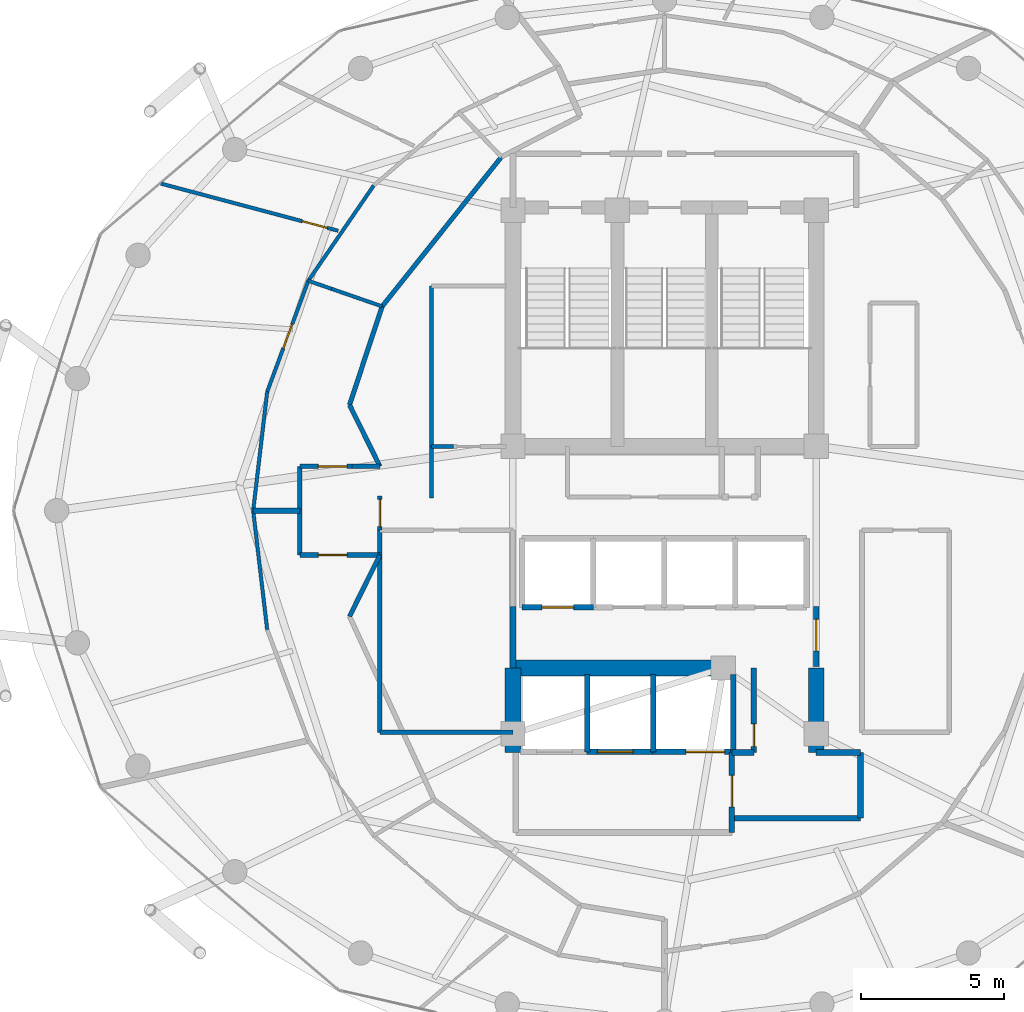
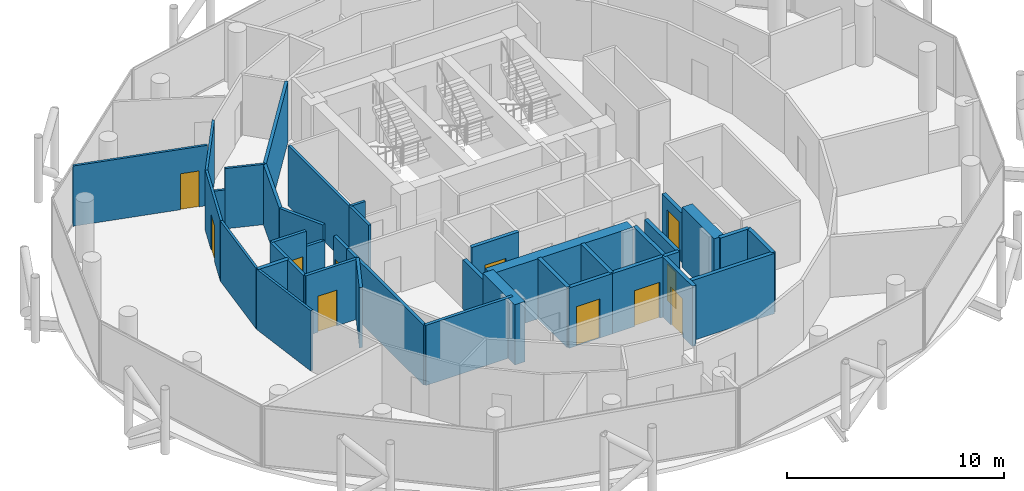
# One storey, part 23 of 27: 39 walls, 11 doors, 11 openings.
"""IFC4 building model written with IfcOpenShell, lengths in metres."""

from ifc_helpers import new_model, si_unit, direction, frame, frame_2d, origin, place, context, subcontext, project, spatial, rectangle, extrude, material, layer, layer_set, type_object, element, fill, save


model = new_model("IFC4")

# Units and contexts
model_context = context("Model", 3, precision=1e-05, world=origin(), true_north=direction((0.0, 1.0)))
body_context = subcontext(model_context, "Body", "Model", "MODEL_VIEW")
ifc_project = project(units=[si_unit("LENGTHUNIT", "METRE"), si_unit("AREAUNIT", "SQUARE_METRE"), si_unit("VOLUMEUNIT", "CUBIC_METRE"), si_unit("PLANEANGLEUNIT", "RADIAN"), si_unit("MASSUNIT", "GRAM", prefix="KILO")], contexts=[model_context])

# Site, building, storey
site_placement = place(None, origin())
site = spatial("IfcSite", under=ifc_project, at=site_placement, CompositionType="ELEMENT")
building_placement = place(site_placement, origin())
building = spatial("IfcBuilding", under=site, at=building_placement, Name="Nuhasar Tower", CompositionType="ELEMENT")
storey_placement = place(building_placement, frame((0.0, 0.0, 251.949951171875)))
storey = spatial("IfcBuildingStorey", under=building, at=storey_placement, Name="L62", CompositionType="ELEMENT", Elevation=251.949951171875)

# Walls
ifc_material_1 = material(Name="Concrete C55/67", Category="concrete")
ifc_layer_1 = layer(ifc_material_1, 0.550048828125)
ifc_layer_set_1 = layer_set([ifc_layer_1], Name="Concrete C55/67")
wall_type_1 = type_object("IfcWallType", Name="WL-CORE-550", PredefinedType="SHEAR", material=ifc_layer_set_1)
for number, where, z_axis, x_axis, name in (
    (1, (33.699951171875, 18.35009765625, 0.0), (0.0, 0.0, 1.0), (0.0, 1.0, 0.0), "L62 Core Shear Wall CW-SW CW-550"),
    (2, (44.300048828125, 18.35009765625, 0.0), (0.0, 0.0, 1.0), (0.0, 1.0, 0.0), "L62 Core Shear Wall CW-SE CW-550"),
):
    element("IfcWall", number, at=place(storey_placement, frame(where, z_axis=z_axis, x_axis=x_axis)), inside=storey, type_object=wall_type_1, Name=name, PredefinedType="SHEAR", context=body_context, shape_type="SweptSolid", body=[
        extrude(rectangle(XDim=2.949951171875, YDim=0.550048828125, at=frame_2d((1.47509765625, 0.0))), origin(), (0.0, 0.0, 1.0), 3.39013671875),
    ])
wall_1_placement = place(storey_placement, frame((33.699951171875, 21.300048828125, 0.0), z_axis=(0.0, 0.0, 1.0), x_axis=(1.0, 0.0, 0.0)))
element("IfcWall", 3, at=wall_1_placement, inside=storey, type_object=wall_type_1, Name="L62 Core Shear Wall CW-S1 CW-550", PredefinedType="SHEAR", context=body_context, shape_type="SweptSolid", body=[
    extrude(rectangle(XDim=7.550048828125, YDim=0.550048828125, at=frame_2d((3.77490234375, 0.0))), origin(), (0.0, 0.0, 1.0), 3.39013671875),
])
ifc_material_2 = material(Name="Gypsum Board", Category="gypsum")
ifc_layer_2 = layer(ifc_material_2, 0.159912109375)
ifc_layer_set_2 = layer_set([ifc_layer_2], Name="Gypsum Board")
wall_type_2 = type_object("IfcWallType", Name="WL-CORR-160", PredefinedType="PARTITIONING", material=ifc_layer_set_2)
wall_2_placement = place(storey_placement, frame((29.050048828125, 19.050048828125, 0.0), z_axis=(0.0, 0.0, 1.0), x_axis=(1.0, 0.0, 0.0)))
element("IfcWall", 4, at=wall_2_placement, inside=storey, type_object=wall_type_2, Name="L62 Interior Partition RECL-B1-S", PredefinedType="PARTITIONING", context=body_context, shape_type="SweptSolid", body=[
    extrude(rectangle(XDim=4.64990234375, YDim=0.159912109375, at=frame_2d((2.324951171875, 0.0))), origin(), (0.0, 0.0, 1.0), 3.39013671875),
])
wall_3_placement = place(storey_placement, frame((29.050048828125, 19.050048828125, 0.0), z_axis=(0.0, 0.0, 1.0), x_axis=(0.0, 1.0, 0.0)))
element("IfcWall", 5, at=wall_3_placement, inside=storey, type_object=wall_type_2, Name="L62 Interior Partition RECL-B1-W", PredefinedType="PARTITIONING", context=body_context, shape_type="SweptSolid", body=[
    extrude(rectangle(XDim=7.070068359375, YDim=0.159912109375, at=frame_2d((3.53515625, 0.0))), origin(), (0.0, 0.0, 1.0), 3.39013671875),
])

# Wall, opening, door
wall_4_placement = place(storey_placement, frame((29.050048828125, 26.1201171875, 0.0), z_axis=(0.0, 0.0, 1.0), x_axis=(0.0, 1.0, 0.0)))
wall_4 = element("IfcWall", 6, at=wall_4_placement, inside=storey, type_object=wall_type_2, Name="L62 Interior Partition WVEST-E", PredefinedType="PARTITIONING", context=body_context, shape_type="SweptSolid", body=[
    extrude(rectangle(XDim=1.199951171875, YDim=0.159912109375, at=frame_2d((0.60009765625, 0.0))), origin(), (0.0, 0.0, 1.0), 3.39013671875),
])
opening_1_placement = place(wall_4_placement, frame((0.125, 0.0, 0.0)))
opening_1 = element("IfcOpeningElement", 7, at=opening_1_placement, cuts=wall_4, Name="Opening DO-01", PredefinedType="OPENING", context=body_context, shape_type="SweptSolid", body=[
    extrude(rectangle(XDim=0.949951171875, YDim=2.14990234375, at=frame_2d((0.47509765625, 1.074951171875))), frame((0.0, 0.08984375, 0.0), z_axis=(0.0, -1.0, 0.0), x_axis=(1.0, 0.0, 0.0)), (0.0, 0.0, 1.0), 0.179931640625),
])
ifc_material_3 = material(Name="Timber Oak", Category="wood")
door_type_1 = type_object("IfcDoorType", Name="DR-OFFICE-FD30-950", OperationType="NOTDEFINED", PredefinedType="DOOR", material=ifc_material_3)
door_1_placement = place(opening_1_placement, origin())
door_1 = element("IfcDoor", 8, at=door_1_placement, inside=storey, type_object=door_type_1, Name="L62 West Arrival Foyer Core Door", OperationType="SINGLE_SWING_RIGHT", OverallHeight=2.14990234375, OverallWidth=0.949951171875, PredefinedType="DOOR", context=body_context, shape_type="SweptSolid", body=[
    extrude(rectangle(XDim=0.949951171875, YDim=2.14990234375, at=frame_2d((0.47509765625, 1.074951171875))), frame((0.0, 0.02490234375, 0.0), z_axis=(0.0, -1.0, 0.0), x_axis=(1.0, 0.0, 0.0)), (0.0, 0.0, 1.0), 0.050048828125),
])
fill(opening_1, door_1)

# Walls
wall_5_placement = place(storey_placement, frame((33.300048828125, 39.1669921875, 0.0), z_axis=(0.0, 0.0, 1.0), x_axis=(-0.623915746766, -0.781491612839, 0.0)))
element("IfcWall", 9, at=wall_5_placement, inside=storey, type_object=wall_type_2, Name="L62 Interior Partition UWEST-CORE-N2-16", PredefinedType="PARTITIONING", context=body_context, shape_type="SweptSolid", body=[
    extrude(rectangle(XDim=6.6884765625, YDim=0.159912109375, at=frame_2d((3.34423828125, 0.0))), origin(), (0.0, 0.0, 1.0), 3.39013671875),
])
wall_6_placement = place(storey_placement, frame((29.126953125, 33.93994140625, 0.0), z_axis=(0.0, 0.0, 1.0), x_axis=(-0.313985571683, -0.949427754374, 0.0)))
element("IfcWall", 10, at=wall_6_placement, inside=storey, type_object=wall_type_2, Name="L62 Interior Partition UWEST-CORE-N2-20", PredefinedType="PARTITIONING", context=body_context, shape_type="SweptSolid", body=[
    extrude(rectangle(XDim=3.627197265625, YDim=0.159912109375, at=frame_2d((1.8134765625, 0.0))), origin(), (0.0, 0.0, 1.0), 3.39013671875),
])

# Wall, opening, door
wall_7_placement = place(storey_placement, frame((26.25, 28.35009765625, 0.0), z_axis=(0.0, 0.0, 1.0), x_axis=(1.0, 0.0, 0.0)))
wall_7 = element("IfcWall", 11, at=wall_7_placement, inside=storey, type_object=wall_type_2, Name="L62 Interior Partition WVEST-N", PredefinedType="PARTITIONING", context=body_context, shape_type="SweptSolid", body=[
    extrude(rectangle(XDim=1.820068359375, YDim=0.159912109375, at=frame_2d((0.91015625, 0.0))), origin(), (0.0, 0.0, 1.0), 3.39013671875),
])
opening_2_placement = place(wall_7_placement, frame((0.64990234375, 0.0, 0.0)))
opening_2 = element("IfcOpeningElement", 12, at=opening_2_placement, cuts=wall_7, Name="Opening DU-02B", PredefinedType="OPENING", context=body_context, shape_type="SweptSolid", body=[
    extrude(rectangle(XDim=1.0, YDim=2.02001953125, at=frame_2d((0.5, 1.010009765625))), frame((0.0, 0.08984375, 0.0), z_axis=(0.0, -1.0, 0.0), x_axis=(1.0, 0.0, 0.0)), (0.0, 0.0, 1.0), 0.179931640625),
])
door_type_2 = type_object("IfcDoorType", Name="DR-L62-FD60-1000", OperationType="NOTDEFINED", PredefinedType="DOOR", material=ifc_material_3)
door_2_placement = place(opening_2_placement, origin())
door_2 = element("IfcDoor", 13, at=door_2_placement, inside=storey, type_object=door_type_2, Name="L62 North-West Sky Home Entrance", OperationType="SINGLE_SWING_LEFT", OverallHeight=2.02001953125, OverallWidth=1.0, PredefinedType="DOOR", context=body_context, shape_type="SweptSolid", body=[
    extrude(rectangle(XDim=1.0, YDim=2.02001953125, at=frame_2d((0.5, 1.010009765625))), frame((0.0, 0.02490234375, 0.0), z_axis=(0.0, -1.0, 0.0), x_axis=(1.0, 0.0, 0.0)), (0.0, 0.0, 1.0), 0.050048828125),
])
fill(opening_2, door_2)

# Wall
wall_8_placement = place(storey_placement, frame((28.070068359375, 28.35009765625, 0.0), z_axis=(0.0, 0.0, 1.0), x_axis=(1.0, 0.0, 0.0)))
element("IfcWall", 14, at=wall_8_placement, inside=storey, type_object=wall_type_2, Name="L62 Interior Partition WVEST-N", PredefinedType="PARTITIONING", context=body_context, shape_type="SweptSolid", body=[
    extrude(rectangle(XDim=0.97998046875, YDim=0.159912109375, at=frame_2d((0.489990234375, 0.0))), origin(), (0.0, 0.0, 1.0), 2.530029296875),
])

# Wall, opening, door
wall_9_placement = place(storey_placement, frame((26.25, 25.25, 0.0), z_axis=(0.0, 0.0, 1.0), x_axis=(1.0, 0.0, 0.0)))
wall_9 = element("IfcWall", 15, at=wall_9_placement, inside=storey, type_object=wall_type_2, Name="L62 Interior Partition WVEST-S", PredefinedType="PARTITIONING", context=body_context, shape_type="SweptSolid", body=[
    extrude(rectangle(XDim=2.800048828125, YDim=0.159912109375, at=frame_2d((1.39990234375, 0.0))), origin(), (0.0, 0.0, 1.0), 3.39013671875),
])
opening_3_placement = place(wall_9_placement, frame((0.64990234375, 0.0, 0.0)))
opening_3 = element("IfcOpeningElement", 16, at=opening_3_placement, cuts=wall_9, Name="Opening DU-02B", PredefinedType="OPENING", context=body_context, shape_type="SweptSolid", body=[
    extrude(rectangle(XDim=1.0, YDim=2.02001953125, at=frame_2d((0.5, 1.010009765625))), frame((0.0, 0.08984375, 0.0), z_axis=(0.0, -1.0, 0.0), x_axis=(1.0, 0.0, 0.0)), (0.0, 0.0, 1.0), 0.179931640625),
])
door_3_placement = place(opening_3_placement, origin())
door_3 = element("IfcDoor", 17, at=door_3_placement, inside=storey, type_object=door_type_2, Name="L62 South-West Sky Home Entrance", OperationType="SINGLE_SWING_LEFT", OverallHeight=2.02001953125, OverallWidth=1.0, PredefinedType="DOOR", context=body_context, shape_type="SweptSolid", body=[
    extrude(rectangle(XDim=1.0, YDim=2.02001953125, at=frame_2d((0.5, 1.010009765625))), frame((0.0, 0.02490234375, 0.0), z_axis=(0.0, -1.0, 0.0), x_axis=(1.0, 0.0, 0.0)), (0.0, 0.0, 1.0), 0.050048828125),
])
fill(opening_3, door_3)

# Walls
wall_10_placement = place(storey_placement, frame((26.25, 25.25, 0.0), z_axis=(0.0, 0.0, 1.0), x_axis=(0.0, 1.0, 0.0)))
element("IfcWall", 18, at=wall_10_placement, inside=storey, type_object=wall_type_2, Name="L62 Interior Partition WVEST-W", PredefinedType="PARTITIONING", context=body_context, shape_type="SweptSolid", body=[
    extrude(rectangle(XDim=3.10009765625, YDim=0.159912109375, at=frame_2d((1.550048828125, 0.0))), origin(), (0.0, 0.0, 1.0), 3.39013671875),
])
for number, where, z_axis, x_axis, name in (
    (19, (27.988037109375, 30.49609375, 0.0), (0.0, 0.0, 1.0), (0.443539160525, -0.896254993337, 0.0), "L62 Interior Partition WVEST-CN"),
    (20, (27.988037109375, 23.10400390625, 0.0), (0.0, 0.0, 1.0), (0.443539160525, 0.896254993337, 0.0), "L62 Interior Partition WVEST-CS"),
):
    element("IfcWall", number, at=place(storey_placement, frame(where, z_axis=z_axis, x_axis=x_axis)), inside=storey, type_object=wall_type_2, Name=name, PredefinedType="PARTITIONING", context=body_context, shape_type="SweptSolid", body=[
        extrude(rectangle(XDim=2.394287109375, YDim=0.159912109375, at=frame_2d((1.197265625, 0.0))), origin(), (0.0, 0.0, 1.0), 3.39013671875),
    ])
ifc_material_4 = material(Name="Concrete C45/55", Category="concrete")
ifc_layer_3 = layer(ifc_material_4, 0.199951171875)
ifc_layer_set_3 = layer_set([ifc_layer_3], Name="Concrete C45/55")
wall_type_3 = type_object("IfcWallType", Name="WL-LOBBY-200", PredefinedType="SOLIDWALL", material=ifc_layer_set_3)
wall_11_placement = place(storey_placement, frame((33.699951171875, 21.300048828125, 0.0), z_axis=(0.0, 0.0, 1.0), x_axis=(0.0, 1.0, 0.0)))
element("IfcWall", 21, at=wall_11_placement, inside=storey, type_object=wall_type_3, Name="L62 Interior Partition LLBH-W", PredefinedType="SOLIDWALL", context=body_context, shape_type="SweptSolid", body=[
    extrude(rectangle(XDim=2.14990234375, YDim=0.199951171875, at=frame_2d((1.074951171875, 0.0))), origin(), (0.0, 0.0, 1.0), 2.775146484375),
])

# Wall, opening, door
wall_12_placement = place(storey_placement, frame((44.300048828125, 21.35009765625, 0.0), z_axis=(0.0, 0.0, 1.0), x_axis=(0.0, 1.0, 0.0)))
wall_12 = element("IfcWall", 22, at=wall_12_placement, inside=storey, type_object=wall_type_3, Name="L62 Interior Partition LLBH-E", PredefinedType="SOLIDWALL", context=body_context, shape_type="SweptSolid", body=[
    extrude(rectangle(XDim=2.099853515625, YDim=0.199951171875, at=frame_2d((1.0498046875, 0.0))), origin(), (0.0, 0.0, 1.0), 2.775146484375),
])
opening_4_placement = place(wall_12_placement, frame((0.550048828125, 0.0, 0.0)))
opening_4 = element("IfcOpeningElement", 23, at=opening_4_placement, cuts=wall_12, Name="Opening DS-02", PredefinedType="OPENING", context=body_context, shape_type="SweptSolid", body=[
    extrude(rectangle(XDim=1.10009765625, YDim=2.14990234375, at=frame_2d((0.550048828125, 1.074951171875))), frame((0.0, 0.10986328125, 0.0), z_axis=(0.0, -1.0, 0.0), x_axis=(1.0, 0.0, 0.0)), (0.0, 0.0, 1.0), 0.219970703125),
])
ifc_material_5 = material(Name="Steel S355", Category="steel")
door_type_3 = type_object("IfcDoorType", Name="DR-FFL-FD120-1100", OperationType="NOTDEFINED", PredefinedType="DOOR", material=ifc_material_5)
door_4_placement = place(opening_4_placement, origin())
door_4 = element("IfcDoor", 24, at=door_4_placement, inside=storey, type_object=door_type_3, Name="L62 High-Rise Lobby East Door", OperationType="SINGLE_SWING_RIGHT", OverallHeight=2.14990234375, OverallWidth=1.10009765625, PredefinedType="DOOR", context=body_context, shape_type="SweptSolid", body=[
    extrude(rectangle(XDim=1.10009765625, YDim=2.14990234375, at=frame_2d((0.550048828125, 1.074951171875))), frame((0.0, 0.02490234375, 0.0), z_axis=(0.0, -1.0, 0.0), x_axis=(1.0, 0.0, 0.0)), (0.0, 0.0, 1.0), 0.050048828125),
])
fill(opening_4, door_4)

wall_13_placement = place(storey_placement, frame((41.35009765625, 15.550048828125, 0.0), z_axis=(0.0, 0.0, 1.0), x_axis=(0.0, 1.0, 0.0)))
wall_13 = element("IfcWall", 25, at=wall_13_placement, inside=storey, type_object=wall_type_3, Name="L62 Interior Partition FFL-E", PredefinedType="SOLIDWALL", context=body_context, shape_type="SweptSolid", body=[
    extrude(rectangle(XDim=2.800048828125, YDim=0.199951171875, at=frame_2d((1.39990234375, 0.0))), origin(), (0.0, 0.0, 1.0), 3.39013671875),
])
opening_5_placement = place(wall_13_placement, frame((0.89990234375, 0.0, 0.0)))
opening_5 = element("IfcOpeningElement", 26, at=opening_5_placement, cuts=wall_13, Name="Opening DS-02", PredefinedType="OPENING", context=body_context, shape_type="SweptSolid", body=[
    extrude(rectangle(XDim=1.10009765625, YDim=2.14990234375, at=frame_2d((0.550048828125, 1.074951171875))), frame((0.0, 0.10986328125, 0.0), z_axis=(0.0, -1.0, 0.0), x_axis=(1.0, 0.0, 0.0)), (0.0, 0.0, 1.0), 0.219970703125),
])
door_5_placement = place(opening_5_placement, origin())
door_5 = element("IfcDoor", 27, at=door_5_placement, inside=storey, type_object=door_type_3, Name="L62 Firefighting Lobby Door", OperationType="SINGLE_SWING_RIGHT", OverallHeight=2.14990234375, OverallWidth=1.10009765625, PredefinedType="DOOR", context=body_context, shape_type="SweptSolid", body=[
    extrude(rectangle(XDim=1.10009765625, YDim=2.14990234375, at=frame_2d((0.550048828125, 1.074951171875))), frame((0.0, 0.02490234375, 0.0), z_axis=(0.0, -1.0, 0.0), x_axis=(1.0, 0.0, 0.0)), (0.0, 0.0, 1.0), 0.050048828125),
])
fill(opening_5, door_5)

# Walls
wall_14_placement = place(storey_placement, frame((41.35009765625, 16.050048828125, 0.0), z_axis=(0.0, 0.0, 1.0), x_axis=(1.0, 0.0, 0.0)))
element("IfcWall", 28, at=wall_14_placement, inside=storey, type_object=wall_type_3, Name="L62 Interior Partition SVLV-S", PredefinedType="SOLIDWALL", context=body_context, shape_type="SweptSolid", body=[
    extrude(rectangle(XDim=4.5, YDim=0.199951171875, at=frame_2d((2.25, 0.0))), origin(), (0.0, 0.0, 1.0), 3.39013671875),
])
wall_15_placement = place(storey_placement, frame((45.85009765625, 16.050048828125, 0.0), z_axis=(0.0, 0.0, 1.0), x_axis=(0.0, 1.0, 0.0)))
element("IfcWall", 29, at=wall_15_placement, inside=storey, type_object=wall_type_3, Name="L62 Interior Partition SVLV-E", PredefinedType="SOLIDWALL", context=body_context, shape_type="SweptSolid", body=[
    extrude(rectangle(XDim=2.300048828125, YDim=0.199951171875, at=frame_2d((1.14990234375, 0.0))), origin(), (0.0, 0.0, 1.0), 3.39013671875),
])
wall_16_placement = place(storey_placement, frame((44.300048828125, 18.35009765625, 0.0), z_axis=(0.0, 0.0, 1.0), x_axis=(1.0, 0.0, 0.0)))
element("IfcWall", 30, at=wall_16_placement, inside=storey, type_object=wall_type_3, Name="L62 Interior Partition SVLV-N", PredefinedType="SOLIDWALL", context=body_context, shape_type="SweptSolid", body=[
    extrude(rectangle(XDim=1.550048828125, YDim=0.199951171875, at=frame_2d((0.77490234375, 0.0))), origin(), (0.0, 0.0, 1.0), 3.39013671875),
])
ifc_layer_4 = layer(ifc_material_2, 0.125)
ifc_layer_set_4 = layer_set([ifc_layer_4], Name="Gypsum Board")
wall_type_4 = type_object("IfcWallType", Name="WL-PART-125", PredefinedType="PARTITIONING", material=ifc_layer_set_4)
wall_17_placement = place(storey_placement, frame((29.126953125, 33.93994140625, 0.0), z_axis=(0.0, 0.0, 1.0), x_axis=(-0.944748361613, 0.327796481416, 0.0)))
element("IfcWall", 31, at=wall_17_placement, inside=storey, type_object=wall_type_4, Name="L62 Interior Partition USI-1-KD", PredefinedType="PARTITIONING", context=body_context, shape_type="SweptSolid", body=[
    extrude(rectangle(XDim=1.8701171875, YDim=0.125, at=frame_2d((0.93505859375, 0.0))), origin(), (0.0, 0.0, 1.0), 3.39013671875),
])
wall_18_placement = place(storey_placement, frame((27.360107421875, 34.552978515625, 0.0), z_axis=(0.0, 0.0, 1.0), x_axis=(-0.944783504011, 0.327695179319, 0.0)))
element("IfcWall", 32, at=wall_18_placement, inside=storey, type_object=wall_type_4, Name="L62 Interior Partition USI-1-KD", PredefinedType="PARTITIONING", context=body_context, shape_type="SweptSolid", body=[
    extrude(rectangle(XDim=0.860595703125, YDim=0.125, at=frame_2d((0.43017578125, 0.0))), origin(), (0.0, 0.0, 1.0), 2.18994140625),
])
wall_19_placement = place(storey_placement, frame((28.83203125, 38.1630859375, 0.0), z_axis=(0.0, 0.0, 1.0), x_axis=(-0.565994846929, -0.824408778004, 0.0)))
element("IfcWall", 33, at=wall_19_placement, inside=storey, type_object=wall_type_4, Name="L62 Interior Partition USM-1-K-18", PredefinedType="PARTITIONING", context=body_context, shape_type="SweptSolid", body=[
    extrude(rectangle(XDim=4.036865234375, YDim=0.125, at=frame_2d((2.0185546875, 0.0))), origin(), (0.0, 0.0, 1.0), 3.39013671875),
])

# Wall, opening, door
wall_20_placement = place(storey_placement, frame((25.110107421875, 30.958984375, 0.0), z_axis=(0.0, 0.0, 1.0), x_axis=(0.347625950087, 0.937633296564, 0.0)))
wall_20 = element("IfcWall", 34, at=wall_20_placement, inside=storey, type_object=wall_type_4, Name="L62 Interior Partition USM-1-D-20", PredefinedType="PARTITIONING", context=body_context, shape_type="SweptSolid", body=[
    extrude(rectangle(XDim=4.1337890625, YDim=0.125, at=frame_2d((2.06689453125, 0.0))), origin(), (0.0, 0.0, 1.0), 3.39013671875),
])
opening_6_placement = place(wall_20_placement, frame((1.616943359375, 0.0, 0.0)))
opening_6 = element("IfcOpeningElement", 35, at=opening_6_placement, cuts=wall_20, Name="Opening DR-01B", PredefinedType="OPENING", context=body_context, shape_type="SweptSolid", body=[
    extrude(rectangle(XDim=0.89990234375, YDim=2.02001953125, at=frame_2d((0.449951171875, 1.010009765625))), frame((0.0, 0.072509765625, 0.0), z_axis=(0.0, -1.0, 0.0), x_axis=(1.0, 0.0, 0.0)), (0.0, 0.0, 1.0), 0.14501953125),
])
door_type_4 = type_object("IfcDoorType", Name="DR-L62-ROOM-900", OperationType="NOTDEFINED", PredefinedType="DOOR", material=ifc_material_3)
door_6_placement = place(opening_6_placement, origin())
door_6 = element("IfcDoor", 36, at=door_6_placement, inside=storey, type_object=door_type_4, Name="L62 North-West Sky Home Living Door", OperationType="SINGLE_SWING_RIGHT", OverallHeight=2.02001953125, OverallWidth=0.89990234375, PredefinedType="DOOR", context=body_context, shape_type="SweptSolid", body=[
    extrude(rectangle(XDim=0.89990234375, YDim=2.02001953125, at=frame_2d((0.449951171875, 1.010009765625))), frame((0.0, 0.02490234375, 0.0), z_axis=(0.0, -1.0, 0.0), x_axis=(1.0, 0.0, 0.0)), (0.0, 0.0, 1.0), 0.050048828125),
])
fill(opening_6, door_6)

# Walls
for number, where, z_axis, x_axis, name in (
    (37, (25.110107421875, 30.958984375, 0.0), (0.0, 0.0, 1.0), (-0.117006991469, -0.993131091018, 0.0), "L62 Interior Partition USM-1-D-22"),
    (38, (24.6201171875, 26.800048828125, 0.0), (0.0, 0.0, 1.0), (0.117006991469, -0.993131091018, 0.0), "L62 Interior Partition USM-1-D-24"),
):
    element("IfcWall", number, at=place(storey_placement, frame(where, z_axis=z_axis, x_axis=x_axis)), inside=storey, type_object=wall_type_4, Name=name, PredefinedType="PARTITIONING", context=body_context, shape_type="SweptSolid", body=[
        extrude(rectangle(XDim=4.187744140625, YDim=0.125, at=frame_2d((2.09375, 0.0))), origin(), (0.0, 0.0, 1.0), 3.39013671875),
    ])

# Wall, opening, door
wall_21_placement = place(storey_placement, frame((27.592041015625, 36.5830078125, 0.0), z_axis=(0.0, 0.0, 1.0), x_axis=(-0.966372641244, 0.257145714053, 0.0)))
wall_21 = element("IfcWall", 39, at=wall_21_placement, inside=storey, type_object=wall_type_4, Name="L62 Interior Partition USO-1-B2", PredefinedType="PARTITIONING", context=body_context, shape_type="SweptSolid", body=[
    extrude(rectangle(XDim=6.40869140625, YDim=0.125, at=frame_2d((3.204345703125, 0.0))), origin(), (0.0, 0.0, 1.0), 3.39013671875),
])
opening_7_placement = place(wall_21_placement, frame((0.39990234375, 0.0, 0.0)))
opening_7 = element("IfcOpeningElement", 40, at=opening_7_placement, cuts=wall_21, Name="Opening DR-01B", PredefinedType="OPENING", context=body_context, shape_type="SweptSolid", body=[
    extrude(rectangle(XDim=0.89990234375, YDim=2.02001953125, at=frame_2d((0.449951171875, 1.010009765625))), frame((0.0, 0.072509765625, 0.0), z_axis=(0.0, -1.0, 0.0), x_axis=(1.0, 0.0, 0.0)), (0.0, 0.0, 1.0), 0.14501953125),
])
door_7_placement = place(opening_7_placement, origin())
door_7 = element("IfcDoor", 41, at=door_7_placement, inside=storey, type_object=door_type_4, Name="L62 North-West Sky Home Study Door", OperationType="SINGLE_SWING_LEFT", OverallHeight=2.02001953125, OverallWidth=0.89990234375, PredefinedType="DOOR", context=body_context, shape_type="SweptSolid", body=[
    extrude(rectangle(XDim=0.89990234375, YDim=2.02001953125, at=frame_2d((0.449951171875, 1.010009765625))), frame((0.0, 0.02490234375, 0.0), z_axis=(0.0, -1.0, 0.0), x_axis=(1.0, 0.0, 0.0)), (0.0, 0.0, 1.0), 0.050048828125),
])
fill(opening_7, door_7)

ifc_layer_5 = layer(ifc_material_4, 0.199951171875)
ifc_layer_set_5 = layer_set([ifc_layer_5], Name="Concrete C45/55")
wall_type_5 = type_object("IfcWallType", Name="WL-SHAFT-200", PredefinedType="SOLIDWALL", material=ifc_layer_set_5)
wall_22_placement = place(storey_placement, frame((34.02001953125, 23.419921875, 0.0), z_axis=(0.0, 0.0, 1.0), x_axis=(1.0, 0.0, 0.0)))
wall_22 = element("IfcWall", 42, at=wall_22_placement, inside=storey, type_object=wall_type_5, Name="L62 Interior Partition SHF-PL-H01-S", PredefinedType="SOLIDWALL", context=body_context, shape_type="SweptSolid", body=[
    extrude(rectangle(XDim=2.5, YDim=0.199951171875, at=frame_2d((1.25, 0.0))), origin(), (0.0, 0.0, 1.0), 3.39013671875),
])
opening_8_placement = place(wall_22_placement, frame((0.699951171875, 0.0, 0.0)))
opening_8 = element("IfcOpeningElement", 43, at=opening_8_placement, cuts=wall_22, Name="Opening LD-H01", PredefinedType="OPENING", context=body_context, shape_type="SweptSolid", body=[
    extrude(rectangle(XDim=1.10009765625, YDim=2.14990234375, at=frame_2d((0.550048828125, 1.074951171875))), frame((0.0, 0.10986328125, 0.0), z_axis=(0.0, -1.0, 0.0), x_axis=(1.0, 0.0, 0.0)), (0.0, 0.0, 1.0), 0.219970703125),
])
ifc_material_6 = material(Name="Stainless Steel 316L", Category="steel")
door_type_5 = type_object("IfcDoorType", Name="LD-PAX-1100", OperationType="DOUBLE_DOOR_SLIDING", PredefinedType="DOOR", material=ifc_material_6)
door_8_placement = place(opening_8_placement, origin())
door_8 = element("IfcDoor", 44, at=door_8_placement, inside=storey, type_object=door_type_5, Name="L62 Lift Landing Door PL-H01", OperationType="DOUBLE_DOOR_SLIDING", OverallHeight=2.14990234375, OverallWidth=1.10009765625, PredefinedType="DOOR", context=body_context, shape_type="SweptSolid", body=[
    extrude(rectangle(XDim=1.10009765625, YDim=2.14990234375, at=frame_2d((0.550048828125, 1.074951171875))), frame((0.0, 0.02490234375, 0.0), z_axis=(0.0, -1.0, 0.0), x_axis=(1.0, 0.0, 0.0)), (0.0, 0.0, 1.0), 0.050048828125),
])
fill(opening_8, door_8)

# Wall
wall_23_placement = place(storey_placement, frame((36.300048828125, 18.3701171875, 0.0), z_axis=(0.0, 0.0, 1.0), x_axis=(0.0, 1.0, 0.0)))
element("IfcWall", 45, at=wall_23_placement, inside=storey, type_object=wall_type_5, Name="L62 Interior Partition SHF-FFL-01-E", PredefinedType="SOLIDWALL", context=body_context, shape_type="SweptSolid", body=[
    extrude(rectangle(XDim=2.7099609375, YDim=0.199951171875, at=frame_2d((1.35498046875, 0.0))), origin(), (0.0, 0.0, 1.0), 3.39013671875),
])

# Wall, opening, door
wall_24_placement = place(storey_placement, frame((36.27001953125, 18.3701171875, 0.0), z_axis=(0.0, 0.0, 1.0), x_axis=(1.0, 0.0, 0.0)))
wall_24 = element("IfcWall", 46, at=wall_24_placement, inside=storey, type_object=wall_type_5, Name="L62 Interior Partition SHF-FFL-02-S", PredefinedType="SOLIDWALL", context=body_context, shape_type="SweptSolid", body=[
    extrude(rectangle(XDim=2.35986328125, YDim=0.199951171875, at=frame_2d((1.179931640625, 0.0))), origin(), (0.0, 0.0, 1.0), 3.39013671875),
])
opening_9_placement = place(wall_24_placement, frame((0.3798828125, 0.0, 0.0)))
opening_9 = element("IfcOpeningElement", 47, at=opening_9_placement, cuts=wall_24, Name="Opening LD-F02", PredefinedType="OPENING", context=body_context, shape_type="SweptSolid", body=[
    extrude(rectangle(XDim=1.25, YDim=2.199951171875, at=frame_2d((0.625, 1.10009765625))), frame((0.0, 0.10986328125, 0.0), z_axis=(0.0, -1.0, 0.0), x_axis=(1.0, 0.0, 0.0)), (0.0, 0.0, 1.0), 0.219970703125),
])
door_type_6 = type_object("IfcDoorType", Name="LD-FFL-1250", OperationType="DOUBLE_DOOR_SLIDING", PredefinedType="DOOR", material=ifc_material_6)
door_9_placement = place(opening_9_placement, origin())
door_9 = element("IfcDoor", 48, at=door_9_placement, inside=storey, type_object=door_type_6, Name="L62 Lift Landing Door FFL-02", OperationType="DOUBLE_DOOR_SLIDING", OverallHeight=2.199951171875, OverallWidth=1.25, PredefinedType="DOOR", context=body_context, shape_type="SweptSolid", body=[
    extrude(rectangle(XDim=1.25, YDim=2.199951171875, at=frame_2d((0.625, 1.10009765625))), frame((0.0, 0.02490234375, 0.0), z_axis=(0.0, -1.0, 0.0), x_axis=(1.0, 0.0, 0.0)), (0.0, 0.0, 1.0), 0.050048828125),
])
fill(opening_9, door_9)

# Wall
wall_25_placement = place(storey_placement, frame((38.60009765625, 18.3701171875, 0.0), z_axis=(0.0, 0.0, 1.0), x_axis=(0.0, 1.0, 0.0)))
element("IfcWall", 49, at=wall_25_placement, inside=storey, type_object=wall_type_5, Name="L62 Interior Partition SHF-FFL-02-E", PredefinedType="SOLIDWALL", context=body_context, shape_type="SweptSolid", body=[
    extrude(rectangle(XDim=2.7099609375, YDim=0.199951171875, at=frame_2d((1.35498046875, 0.0))), origin(), (0.0, 0.0, 1.0), 3.39013671875),
])

# Wall, opening, door
wall_26_placement = place(storey_placement, frame((38.570068359375, 18.3701171875, 0.0), z_axis=(0.0, 0.0, 1.0), x_axis=(1.0, 0.0, 0.0)))
wall_26 = element("IfcWall", 50, at=wall_26_placement, inside=storey, type_object=wall_type_5, Name="L62 Interior Partition SHF-SVL-01-S", PredefinedType="SOLIDWALL", context=body_context, shape_type="SweptSolid", body=[
    extrude(rectangle(XDim=2.829833984375, YDim=0.199951171875, at=frame_2d((1.4150390625, 0.0))), origin(), (0.0, 0.0, 1.0), 3.39013671875),
])
opening_10_placement = place(wall_26_placement, frame((1.179931640625, 0.0, 0.0)))
opening_10 = element("IfcOpeningElement", 51, at=opening_10_placement, cuts=wall_26, Name="Opening LD-S1350B", PredefinedType="OPENING", context=body_context, shape_type="SweptSolid", body=[
    extrude(rectangle(XDim=1.35009765625, YDim=2.02001953125, at=frame_2d((0.675048828125, 1.010009765625))), frame((0.0, 0.10986328125, 0.0), z_axis=(0.0, -1.0, 0.0), x_axis=(1.0, 0.0, 0.0)), (0.0, 0.0, 1.0), 0.219970703125),
])
door_type_7 = type_object("IfcDoorType", Name="LD-SVL-L62-1350", OperationType="DOUBLE_DOOR_SLIDING", PredefinedType="DOOR", material=ifc_material_6)
door_10_placement = place(opening_10_placement, origin())
door_10 = element("IfcDoor", 52, at=door_10_placement, inside=storey, type_object=door_type_7, Name="L62 Lift Landing Door SVL-01", OperationType="DOUBLE_DOOR_SLIDING", OverallHeight=2.02001953125, OverallWidth=1.35009765625, PredefinedType="DOOR", context=body_context, shape_type="SweptSolid", body=[
    extrude(rectangle(XDim=1.35009765625, YDim=2.02001953125, at=frame_2d((0.675048828125, 1.010009765625))), frame((0.0, 0.02490234375, 0.0), z_axis=(0.0, -1.0, 0.0), x_axis=(1.0, 0.0, 0.0)), (0.0, 0.0, 1.0), 0.050048828125),
])
fill(opening_10, door_10)

# Wall
wall_27_placement = place(storey_placement, frame((41.39990234375, 18.3701171875, 0.0), z_axis=(0.0, 0.0, 1.0), x_axis=(0.0, 1.0, 0.0)))
element("IfcWall", 53, at=wall_27_placement, inside=storey, type_object=wall_type_5, Name="L62 Interior Partition SHF-SVL-01-E", PredefinedType="SOLIDWALL", context=body_context, shape_type="SweptSolid", body=[
    extrude(rectangle(XDim=2.7099609375, YDim=0.199951171875, at=frame_2d((1.35498046875, 0.0))), origin(), (0.0, 0.0, 1.0), 3.39013671875),
])

# Wall, opening, door
wall_28_placement = place(storey_placement, frame((42.1201171875, 18.35009765625, 0.0), z_axis=(0.0, 0.0, 1.0), x_axis=(0.0, 1.0, 0.0)))
wall_28 = element("IfcWall", 54, at=wall_28_placement, inside=storey, type_object=wall_type_5, Name="L62 Interior Partition RSR-E", PredefinedType="SOLIDWALL", context=body_context, shape_type="SweptSolid", body=[
    extrude(rectangle(XDim=2.949951171875, YDim=0.199951171875, at=frame_2d((1.47509765625, 0.0))), origin(), (0.0, 0.0, 1.0), 3.39013671875),
])
opening_11_placement = place(wall_28_placement, frame((0.199951171875, 0.0, 0.0)))
opening_11 = element("IfcOpeningElement", 55, at=opening_11_placement, cuts=wall_28, Name="Opening DM-01", PredefinedType="OPENING", context=body_context, shape_type="SweptSolid", body=[
    extrude(rectangle(XDim=0.800048828125, YDim=2.050048828125, at=frame_2d((0.39990234375, 1.02490234375))), frame((0.0, 0.10986328125, 0.0), z_axis=(0.0, -1.0, 0.0), x_axis=(1.0, 0.0, 0.0)), (0.0, 0.0, 1.0), 0.219970703125),
])
door_type_8 = type_object("IfcDoorType", Name="DR-RISER-FD60-800", OperationType="NOTDEFINED", PredefinedType="DOOR", material=ifc_material_5)
door_11_placement = place(opening_11_placement, origin())
door_11 = element("IfcDoor", 56, at=door_11_placement, inside=storey, type_object=door_type_8, Name="L62 MEP Riser Access Door", OperationType="SINGLE_SWING_LEFT", OverallHeight=2.050048828125, OverallWidth=0.800048828125, PredefinedType="DOOR", context=body_context, shape_type="SweptSolid", body=[
    extrude(rectangle(XDim=0.800048828125, YDim=2.050048828125, at=frame_2d((0.39990234375, 1.02490234375))), frame((0.0, 0.02490234375, 0.0), z_axis=(0.0, -1.0, 0.0), x_axis=(1.0, 0.0, 0.0)), (0.0, 0.0, 1.0), 0.050048828125),
])
fill(opening_11, door_11)

# Walls
wall_29_placement = place(storey_placement, frame((41.35009765625, 18.35009765625, 0.0), z_axis=(0.0, 0.0, 1.0), x_axis=(1.0, 0.0, 0.0)))
element("IfcWall", 57, at=wall_29_placement, inside=storey, type_object=wall_type_5, Name="L62 Interior Partition RSR-S", PredefinedType="SOLIDWALL", context=body_context, shape_type="SweptSolid", body=[
    extrude(rectangle(XDim=0.77001953125, YDim=0.199951171875, at=frame_2d((0.385009765625, 0.0))), origin(), (0.0, 0.0, 1.0), 3.39013671875),
])
ifc_material_7 = material(Name="Concrete C40/50 precast", Category="concrete")
ifc_layer_6 = layer(ifc_material_7, 0.199951171875)
ifc_layer_set_6 = layer_set([ifc_layer_6], Name="Concrete C40/50 precast")
wall_type_6 = type_object("IfcWallType", Name="WL-UNIT-200", PredefinedType="PARTITIONING", material=ifc_layer_set_6)
wall_30_placement = place(storey_placement, frame((26.25, 26.800048828125, 0.0), z_axis=(0.0, 0.0, 1.0), x_axis=(-1.0, 0.0, 0.0)))
element("IfcWall", 58, at=wall_30_placement, inside=storey, type_object=wall_type_6, Name="L62 Interior Partition UWEST-PARTY-IN", PredefinedType="PARTITIONING", context=body_context, shape_type="SweptSolid", body=[
    extrude(rectangle(XDim=1.6298828125, YDim=0.199951171875, at=frame_2d((0.81494140625, 0.0))), origin(), (0.0, 0.0, 1.0), 3.39013671875),
])
ifc_layer_7 = layer(ifc_material_7, 0.139892578125)
ifc_layer_set_7 = layer_set([ifc_layer_7], Name="Concrete C40/50 precast")
wall_type_7 = type_object("IfcWallType", Name="WL-WET-140", PredefinedType="PARTITIONING", material=ifc_layer_set_7)
wall_31_placement = place(storey_placement, frame((30.85009765625, 27.239990234375, 0.0), z_axis=(0.0, 0.0, 1.0), x_axis=(0.0, 1.0, 0.0)))
element("IfcWall", 59, at=wall_31_placement, inside=storey, type_object=wall_type_7, Name="L62 Interior Partition K3-FOY-W", PredefinedType="PARTITIONING", context=body_context, shape_type="SweptSolid", body=[
    extrude(rectangle(XDim=1.81005859375, YDim=0.139892578125, at=frame_2d((0.905029296875, 0.0))), origin(), (0.0, 0.0, 1.0), 3.39013671875),
])
wall_32_placement = place(storey_placement, frame((30.85009765625, 29.050048828125, 0.0), z_axis=(0.0, 0.0, 1.0), x_axis=(1.0, 0.0, 0.0)))
element("IfcWall", 60, at=wall_32_placement, inside=storey, type_object=wall_type_7, Name="L62 Interior Partition K3-NW-S", PredefinedType="PARTITIONING", context=body_context, shape_type="SweptSolid", body=[
    extrude(rectangle(XDim=0.77978515625, YDim=0.139892578125, at=frame_2d((0.389892578125, 0.0))), origin(), (0.0, 0.0, 1.0), 3.39013671875),
])
wall_33_placement = place(storey_placement, frame((30.85009765625, 29.050048828125, 0.0), z_axis=(0.0, 0.0, 1.0), x_axis=(0.0, 1.0, 0.0)))
element("IfcWall", 61, at=wall_33_placement, inside=storey, type_object=wall_type_7, Name="L62 Interior Partition K3-NW-W", PredefinedType="PARTITIONING", context=body_context, shape_type="SweptSolid", body=[
    extrude(rectangle(XDim=5.599853515625, YDim=0.139892578125, at=frame_2d((2.7998046875, 0.0))), origin(), (0.0, 0.0, 1.0), 3.39013671875),
])

save(model, "model.ifc")
